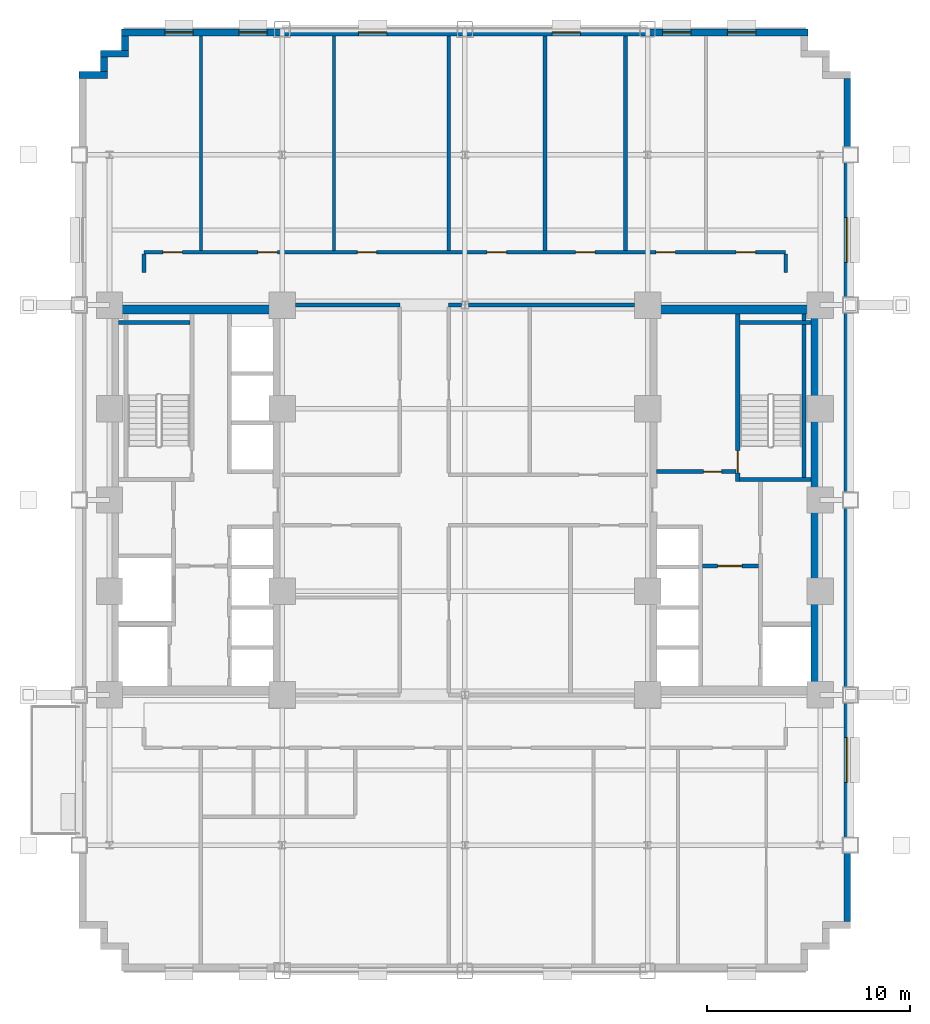
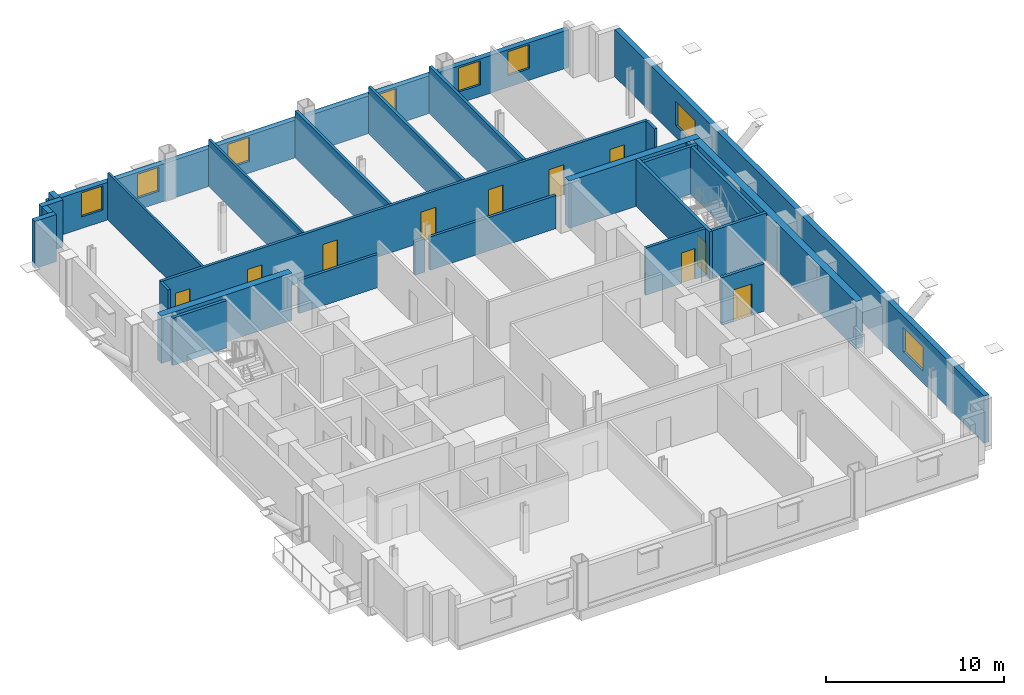
# One storey, part 7 of 12: 27 walls, 10 doors, 8 windows, 18 openings.
"""IFC4 building model written with IfcOpenShell, lengths in metres."""

from ifc_helpers import new_model, si_unit, direction, frame, frame_2d, origin, place, context, subcontext, project, spatial, rectangle, extrude, source, transform, mapped, material, layer, layer_set, type_object, type_shapes, element, fill, save


model = new_model("IFC4")

# Units and contexts
model_context = context("Model", 3, precision=1e-05, world=origin(), true_north=direction((0.0, 1.0)))
body_context = subcontext(model_context, "Body", "Model", "MODEL_VIEW")
ifc_project = project(units=[si_unit("LENGTHUNIT", "METRE"), si_unit("AREAUNIT", "SQUARE_METRE"), si_unit("VOLUMEUNIT", "CUBIC_METRE"), si_unit("PLANEANGLEUNIT", "RADIAN"), si_unit("MASSUNIT", "GRAM", prefix="KILO")], contexts=[model_context])

# Site, building, storey
site_placement = place(None, origin())
site = spatial("IfcSite", under=ifc_project, at=site_placement, CompositionType="ELEMENT")
building_placement = place(site_placement, origin())
building = spatial("IfcBuilding", under=site, at=building_placement, Name="Nuvemarco Arch Tower", CompositionType="ELEMENT")
storey_placement = place(building_placement, frame((0.0, 0.0, 53.14990234375)))
storey = spatial("IfcBuildingStorey", under=building, at=storey_placement, Name="L13", CompositionType="ELEMENT", Elevation=53.14990234375)

# Wall, openings, windows
ifc_material_1 = material(Name="Precast concrete C45/55", Category="concrete")
ifc_layer_1 = layer(ifc_material_1, 0.340087890625, Name="EW-LOW-340")
ifc_layer_set_1 = layer_set([ifc_layer_1], Name="Precast concrete C45/55")
wall_type_1 = type_object("IfcWallType", Name="EW-LOW-340", PredefinedType="STANDARD", material=ifc_layer_set_1)
wall_1_placement = place(storey_placement, frame((18.830078125, -20.763916015625, 0.0), z_axis=(0.0, 0.0, 1.0), x_axis=(0.0, 1.0, 0.0)))
wall_1 = element("IfcWall", 1, at=wall_1_placement, inside=storey, type_object=wall_type_1, Name="L13 exterior precast facade wall 6", PredefinedType="STANDARD", context=body_context, shape_type="SweptSolid", body=[
    extrude(rectangle(XDim=41.52783203125, YDim=0.340087890625, at=frame_2d((20.763916015625, 0.0))), origin(), (0.0, 0.0, 1.0), 3.239990234375),
])
opening_1_placement = place(wall_1_placement, frame((6.861572265625, 0.0, 0.800048828125)))
opening_1 = element("IfcOpeningElement", 2, at=opening_1_placement, cuts=wall_1, Name="Opening WN-3", PredefinedType="OPENING", context=body_context, shape_type="SweptSolid", body=[
    extrude(rectangle(XDim=2.199951171875, YDim=1.64990234375, at=frame_2d((1.10009765625, 0.824951171875))), frame((0.0, 0.179931640625, 0.0), z_axis=(0.0, -1.0, 0.0), x_axis=(1.0, 0.0, 0.0)), (0.0, 0.0, 1.0), 0.360107421875),
])
opening_2_placement = place(wall_1_placement, frame((32.466552734375, 0.0, 0.800048828125)))
opening_2 = element("IfcOpeningElement", 3, at=opening_2_placement, cuts=wall_1, Name="Opening WN-3", PredefinedType="OPENING", context=body_context, shape_type="SweptSolid", body=[
    extrude(rectangle(XDim=2.199951171875, YDim=1.64990234375, at=frame_2d((1.10009765625, 0.824951171875))), frame((0.0, 0.179931640625, 0.0), z_axis=(0.0, -1.0, 0.0), x_axis=(1.0, 0.0, 0.0)), (0.0, 0.0, 1.0), 0.360107421875),
])
ifc_material_2 = material(Name="Insulated solar-control glass", Category="glass")
window_type_1 = type_object("IfcWindowType", Name="WN-LOW-2200x1650", PartitioningType="DOUBLE_PANEL_VERTICAL", PredefinedType="WINDOW", material=ifc_material_2)
shared_shape_1 = source(origin(), body_context, "Body", "SweptSolid", [
    extrude(rectangle(XDim=2.199951171875, YDim=1.64990234375, at=frame_2d((1.10009765625, 0.824951171875))), frame((0.0, 0.030029296875, 0.0), z_axis=(0.0, -1.0, 0.0), x_axis=(1.0, 0.0, 0.0)), (0.0, 0.0, 1.0), 0.06005859375),
])
type_shapes(window_type_1, [shared_shape_1])
window_1_placement = place(opening_1_placement, origin())
window_1 = element("IfcWindow", 4, at=window_1_placement, inside=storey, type_object=window_type_1, Name="L13 punched facade window 2", OverallHeight=1.64990234375, OverallWidth=2.199951171875, PartitioningType="SINGLE_PANEL", PredefinedType="WINDOW", context=body_context, shape_type="MappedRepresentation", body=[
    mapped(shared_shape_1, transform((0.0, 0.0, 0.0), scale=1.0)),
])
fill(opening_1, window_1)
window_2_placement = place(opening_2_placement, origin())
window_2 = element("IfcWindow", 5, at=window_2_placement, inside=storey, type_object=window_type_1, Name="L13 punched facade window 7", OverallHeight=1.64990234375, OverallWidth=2.199951171875, PartitioningType="SINGLE_PANEL", PredefinedType="WINDOW", context=body_context, shape_type="MappedRepresentation", body=[
    mapped(shared_shape_1, transform((0.0, 0.0, 0.0), scale=1.0)),
])
fill(opening_2, window_2)

wall_2_placement = place(storey_placement, frame((-16.89990234375, 23.030029296875, 0.0), z_axis=(0.0, 0.0, 1.0), x_axis=(1.0, 0.0, 0.0)))
wall_2 = element("IfcWall", 6, at=wall_2_placement, inside=storey, type_object=wall_type_1, Name="L13 exterior precast facade wall 11", PredefinedType="STANDARD", context=body_context, shape_type="SweptSolid", body=[
    extrude(rectangle(XDim=33.7998046875, YDim=0.340087890625, at=frame_2d((16.89990234375, 0.0))), origin(), (0.0, 0.0, 1.0), 2.585205078125),
])
opening_3_placement = place(wall_2_placement, frame((2.121337890625, 0.0, 0.800048828125)))
opening_3 = element("IfcOpeningElement", 7, at=opening_3_placement, cuts=wall_2, Name="Opening WN-4", PredefinedType="OPENING", context=body_context, shape_type="SweptSolid", body=[
    extrude(rectangle(XDim=1.39990234375, YDim=1.64990234375, at=frame_2d((0.699951171875, 0.824951171875))), frame((0.0, 0.179931640625, 0.0), z_axis=(0.0, -1.0, 0.0), x_axis=(1.0, 0.0, 0.0)), (0.0, 0.0, 1.0), 0.360107421875),
])
opening_4_placement = place(wall_2_placement, frame((5.764404296875, 0.0, 0.800048828125)))
opening_4 = element("IfcOpeningElement", 8, at=opening_4_placement, cuts=wall_2, Name="Opening WN-4", PredefinedType="OPENING", context=body_context, shape_type="SweptSolid", body=[
    extrude(rectangle(XDim=1.39990234375, YDim=1.64990234375, at=frame_2d((0.699951171875, 0.824951171875))), frame((0.0, 0.179931640625, 0.0), z_axis=(0.0, -1.0, 0.0), x_axis=(1.0, 0.0, 0.0)), (0.0, 0.0, 1.0), 0.360107421875),
])
opening_5_placement = place(wall_2_placement, frame((11.656982421875, 0.0, 0.800048828125)))
opening_5 = element("IfcOpeningElement", 9, at=opening_5_placement, cuts=wall_2, Name="Opening WN-4", PredefinedType="OPENING", context=body_context, shape_type="SweptSolid", body=[
    extrude(rectangle(XDim=1.39990234375, YDim=1.64990234375, at=frame_2d((0.699951171875, 0.824951171875))), frame((0.0, 0.179931640625, 0.0), z_axis=(0.0, -1.0, 0.0), x_axis=(1.0, 0.0, 0.0)), (0.0, 0.0, 1.0), 0.360107421875),
])
opening_6_placement = place(wall_2_placement, frame((21.19287109375, 0.0, 0.800048828125)))
opening_6 = element("IfcOpeningElement", 10, at=opening_6_placement, cuts=wall_2, Name="Opening WN-4", PredefinedType="OPENING", context=body_context, shape_type="SweptSolid", body=[
    extrude(rectangle(XDim=1.39990234375, YDim=1.64990234375, at=frame_2d((0.699951171875, 0.824951171875))), frame((0.0, 0.179931640625, 0.0), z_axis=(0.0, -1.0, 0.0), x_axis=(1.0, 0.0, 0.0)), (0.0, 0.0, 1.0), 0.360107421875),
])
opening_7_placement = place(wall_2_placement, frame((26.6357421875, 0.0, 0.800048828125)))
opening_7 = element("IfcOpeningElement", 11, at=opening_7_placement, cuts=wall_2, Name="Opening WN-4", PredefinedType="OPENING", context=body_context, shape_type="SweptSolid", body=[
    extrude(rectangle(XDim=1.39990234375, YDim=1.64990234375, at=frame_2d((0.699951171875, 0.824951171875))), frame((0.0, 0.179931640625, 0.0), z_axis=(0.0, -1.0, 0.0), x_axis=(1.0, 0.0, 0.0)), (0.0, 0.0, 1.0), 0.360107421875),
])
opening_8_placement = place(wall_2_placement, frame((29.82861328125, 0.0, 0.800048828125)))
opening_8 = element("IfcOpeningElement", 12, at=opening_8_placement, cuts=wall_2, Name="Opening WN-4", PredefinedType="OPENING", context=body_context, shape_type="SweptSolid", body=[
    extrude(rectangle(XDim=1.39990234375, YDim=1.64990234375, at=frame_2d((0.699951171875, 0.824951171875))), frame((0.0, 0.179931640625, 0.0), z_axis=(0.0, -1.0, 0.0), x_axis=(1.0, 0.0, 0.0)), (0.0, 0.0, 1.0), 0.360107421875),
])
window_type_2 = type_object("IfcWindowType", Name="WN-LOW-1400x1650", PartitioningType="SINGLE_PANEL", PredefinedType="WINDOW", material=ifc_material_2)
shared_shape_2 = source(origin(), body_context, "Body", "SweptSolid", [
    extrude(rectangle(XDim=1.39990234375, YDim=1.64990234375, at=frame_2d((0.699951171875, 0.824951171875))), frame((0.0, 0.030029296875, 0.0), z_axis=(0.0, -1.0, 0.0), x_axis=(1.0, 0.0, 0.0)), (0.0, 0.0, 1.0), 0.06005859375),
])
type_shapes(window_type_2, [shared_shape_2])
window_3_placement = place(opening_3_placement, origin())
window_3 = element("IfcWindow", 13, at=window_3_placement, inside=storey, type_object=window_type_2, Name="L13 punched facade window 1", OverallHeight=1.64990234375, OverallWidth=1.39990234375, PartitioningType="SINGLE_PANEL", PredefinedType="WINDOW", context=body_context, shape_type="MappedRepresentation", body=[
    mapped(shared_shape_2, transform((0.0, 0.0, 0.0), scale=1.0)),
])
fill(opening_3, window_3)
window_4_placement = place(opening_4_placement, origin())
window_4 = element("IfcWindow", 14, at=window_4_placement, inside=storey, type_object=window_type_2, Name="L13 punched facade window 2", OverallHeight=1.64990234375, OverallWidth=1.39990234375, PartitioningType="SINGLE_PANEL", PredefinedType="WINDOW", context=body_context, shape_type="MappedRepresentation", body=[
    mapped(shared_shape_2, transform((0.0, 0.0, 0.0), scale=1.0)),
])
fill(opening_4, window_4)
window_5_placement = place(opening_5_placement, origin())
window_5 = element("IfcWindow", 15, at=window_5_placement, inside=storey, type_object=window_type_2, Name="L13 punched facade window 3", OverallHeight=1.64990234375, OverallWidth=1.39990234375, PartitioningType="SINGLE_PANEL", PredefinedType="WINDOW", context=body_context, shape_type="MappedRepresentation", body=[
    mapped(shared_shape_2, transform((0.0, 0.0, 0.0), scale=1.0)),
])
fill(opening_5, window_5)
window_6_placement = place(opening_6_placement, origin())
window_6 = element("IfcWindow", 16, at=window_6_placement, inside=storey, type_object=window_type_2, Name="L13 punched facade window 5", OverallHeight=1.64990234375, OverallWidth=1.39990234375, PartitioningType="SINGLE_PANEL", PredefinedType="WINDOW", context=body_context, shape_type="MappedRepresentation", body=[
    mapped(shared_shape_2, transform((0.0, 0.0, 0.0), scale=1.0)),
])
fill(opening_6, window_6)
window_7_placement = place(opening_7_placement, origin())
window_7 = element("IfcWindow", 17, at=window_7_placement, inside=storey, type_object=window_type_2, Name="L13 punched facade window 6", OverallHeight=1.64990234375, OverallWidth=1.39990234375, PartitioningType="SINGLE_PANEL", PredefinedType="WINDOW", context=body_context, shape_type="MappedRepresentation", body=[
    mapped(shared_shape_2, transform((0.0, 0.0, 0.0), scale=1.0)),
])
fill(opening_7, window_7)
window_8_placement = place(opening_8_placement, origin())
window_8 = element("IfcWindow", 18, at=window_8_placement, inside=storey, type_object=window_type_2, Name="L13 punched facade window 7", OverallHeight=1.64990234375, OverallWidth=1.39990234375, PartitioningType="SINGLE_PANEL", PredefinedType="WINDOW", context=body_context, shape_type="MappedRepresentation", body=[
    mapped(shared_shape_2, transform((0.0, 0.0, 0.0), scale=1.0)),
])
fill(opening_8, window_8)

# Walls
wall_3_placement = place(storey_placement, frame((-16.72998046875, 22.14599609375, 0.0), z_axis=(0.0, 0.0, 1.0), x_axis=(0.0, 1.0, 0.0)))
element("IfcWall", 19, at=wall_3_placement, inside=storey, type_object=wall_type_1, Name="L13 exterior precast facade wall 12", PredefinedType="STANDARD", context=body_context, shape_type="SweptSolid", body=[
    extrude(rectangle(XDim=0.718017578125, YDim=0.340087890625, at=frame_2d((0.35888671875, 0.0))), origin(), (0.0, 0.0, 1.0), 3.239990234375),
])
wall_4_placement = place(storey_placement, frame((-17.949951171875, 21.97998046875, 0.0), z_axis=(0.0, 0.0, 1.0), x_axis=(1.0, 0.0, 0.0)))
element("IfcWall", 20, at=wall_4_placement, inside=storey, type_object=wall_type_1, Name="L13 exterior precast facade wall 13", PredefinedType="STANDARD", context=body_context, shape_type="SweptSolid", body=[
    extrude(rectangle(XDim=1.389892578125, YDim=0.340087890625, at=frame_2d((0.69482421875, 0.0))), origin(), (0.0, 0.0, 1.0), 3.239990234375),
])
wall_5_placement = place(storey_placement, frame((-17.780029296875, 21.095947265625, 0.0), z_axis=(0.0, 0.0, 1.0), x_axis=(0.0, 1.0, 0.0)))
element("IfcWall", 21, at=wall_5_placement, inside=storey, type_object=wall_type_1, Name="L13 exterior precast facade wall 14", PredefinedType="STANDARD", context=body_context, shape_type="SweptSolid", body=[
    extrude(rectangle(XDim=0.718017578125, YDim=0.340087890625, at=frame_2d((0.35888671875, 0.0))), origin(), (0.0, 0.0, 1.0), 3.239990234375),
])
wall_6_placement = place(storey_placement, frame((-19.0, 20.929931640625, 0.0), z_axis=(0.0, 0.0, 1.0), x_axis=(1.0, 0.0, 0.0)))
element("IfcWall", 22, at=wall_6_placement, inside=storey, type_object=wall_type_1, Name="L13 exterior precast facade wall 15", PredefinedType="STANDARD", context=body_context, shape_type="SweptSolid", body=[
    extrude(rectangle(XDim=1.389892578125, YDim=0.340087890625, at=frame_2d((0.69482421875, 0.0))), origin(), (0.0, 0.0, 1.0), 3.239990234375),
])
ifc_material_3 = material(Name="Concrete C60/75", Category="concrete")
ifc_layer_2 = layer(ifc_material_3, 0.449951171875, Name="WL-CORE-450")
ifc_layer_set_2 = layer_set([ifc_layer_2], Name="Concrete C60/75")
wall_type_2 = type_object("IfcWallType", Name="WL-CORE-450", PredefinedType="SHEAR", material=ifc_layer_set_2)
for number, where, z_axis, x_axis, name in (
    (23, (-17.5, 9.375, 0.0), (0.0, 0.0, 1.0), (1.0, 0.0, 0.0), "L13 W-core shear wall N"),
    (24, (9.0, 9.375, 0.0), (0.0, 0.0, 1.0), (1.0, 0.0, 0.0), "L13 E-core shear wall N"),
):
    element("IfcWall", number, at=place(storey_placement, frame(where, z_axis=z_axis, x_axis=x_axis)), inside=storey, type_object=wall_type_2, Name=name, PredefinedType="SHEAR", context=body_context, shape_type="SweptSolid", body=[
        extrude(rectangle(XDim=8.5, YDim=0.449951171875, at=frame_2d((4.25, 0.0))), origin(), (0.0, 0.0, 1.0), 3.25),
    ])
wall_7_placement = place(storey_placement, frame((17.27490234375, -9.155029296875, 0.0), z_axis=(0.0, 0.0, 1.0), x_axis=(0.0, 1.0, 0.0)))
element("IfcWall", 25, at=wall_7_placement, inside=storey, type_object=wall_type_2, Name="L13 E-core shear wall E", PredefinedType="SHEAR", context=body_context, shape_type="SweptSolid", body=[
    extrude(rectangle(XDim=18.31005859375, YDim=0.449951171875, at=frame_2d((9.155029296875, 0.0))), origin(), (0.0, 0.0, 1.0), 3.25),
])

# Wall, opening, door
ifc_material_4 = material(Name="Fire-rated gypsum drywall partition")
ifc_layer_3 = layer(ifc_material_4, 0.179931640625, Name="WL-CORR-180")
ifc_layer_set_3 = layer_set([ifc_layer_3], Name="Fire-rated gypsum drywall partition")
wall_type_3 = type_object("IfcWallType", Name="WL-CORR-180", PredefinedType="PARTITIONING", material=ifc_layer_set_3)
wall_8_placement = place(storey_placement, frame((9.445068359375, 1.39990234375, 0.0), z_axis=(0.0, 0.0, 1.0), x_axis=(1.0, 0.0, 0.0)))
wall_8 = element("IfcWall", 26, at=wall_8_placement, inside=storey, type_object=wall_type_3, Name="L13 interior wall IW-L13-EK-S", PredefinedType="PARTITIONING", context=body_context, shape_type="SweptSolid", body=[
    extrude(rectangle(XDim=3.89990234375, YDim=0.179931640625, at=frame_2d((1.949951171875, 0.0))), origin(), (0.0, 0.0, 1.0), 3.239990234375),
])
opening_9_placement = place(wall_8_placement, frame((2.31494140625, 0.0, 0.0)))
opening_9 = element("IfcOpeningElement", 27, at=opening_9_placement, cuts=wall_8, Name="Opening FD-4", PredefinedType="OPENING", context=body_context, shape_type="SweptSolid", body=[
    extrude(rectangle(XDim=0.8798828125, YDim=2.10009765625, at=frame_2d((0.43994140625, 1.050048828125))), frame((0.0, 0.099853515625, 0.0), z_axis=(0.0, -1.0, 0.0), x_axis=(1.0, 0.0, 0.0)), (0.0, 0.0, 1.0), 0.199951171875),
])
ifc_material_5 = material(Name="Anodised steel fire door", Category="steel")
door_type_1 = type_object("IfcDoorType", Name="DR-RISER-FD", OperationType="NOTDEFINED", PredefinedType="DOOR", material=ifc_material_5)
shared_shape_3 = source(origin(), body_context, "Body", "SweptSolid", [
    extrude(rectangle(XDim=0.8798828125, YDim=2.10009765625, at=frame_2d((0.43994140625, 1.050048828125))), frame((0.0, 0.02490234375, 0.0), z_axis=(0.0, -1.0, 0.0), x_axis=(1.0, 0.0, 0.0)), (0.0, 0.0, 1.0), 0.050048828125),
])
type_shapes(door_type_1, [shared_shape_3])
door_1_placement = place(opening_9_placement, origin())
door_1 = element("IfcDoor", 28, at=door_1_placement, inside=storey, type_object=door_type_1, Name="L13 door FD-L13-EK1A", OperationType="SINGLE_SWING_LEFT", OverallHeight=2.10009765625, OverallWidth=0.8798828125, PredefinedType="DOOR", context=body_context, shape_type="MappedRepresentation", body=[
    mapped(shared_shape_3, transform((0.0, 0.0, 0.0), scale=1.0)),
])
fill(opening_9, door_1)

# Walls
wall_9_placement = place(storey_placement, frame((-8.35400390625, 9.60009765625, 0.0), z_axis=(0.0, 0.0, 1.0), x_axis=(1.0, 0.0, 0.0)))
element("IfcWall", 29, at=wall_9_placement, inside=storey, type_object=wall_type_3, Name="L13 interior wall IW-L13-011", PredefinedType="PARTITIONING", context=body_context, shape_type="SweptSolid", body=[
    extrude(rectangle(XDim=5.154052734375, YDim=0.179931640625, at=frame_2d((2.5771484375, 0.0))), origin(), (0.0, 0.0, 1.0), 2.28515625),
])
wall_10_placement = place(storey_placement, frame((-0.800048828125, 9.60009765625, 0.0), z_axis=(0.0, 0.0, 1.0), x_axis=(1.0, 0.0, 0.0)))
element("IfcWall", 30, at=wall_10_placement, inside=storey, type_object=wall_type_3, Name="L13 interior wall IW-L13-012", PredefinedType="PARTITIONING", context=body_context, shape_type="SweptSolid", body=[
    extrude(rectangle(XDim=0.6240234375, YDim=0.179931640625, at=frame_2d((0.31201171875, 0.0))), origin(), (0.0, 0.0, 1.0), 2.28515625),
])
wall_11_placement = place(storey_placement, frame((0.176025390625, 9.60009765625, 0.0), z_axis=(0.0, 0.0, 1.0), x_axis=(1.0, 0.0, 0.0)))
element("IfcWall", 31, at=wall_11_placement, inside=storey, type_object=wall_type_3, Name="L13 interior wall IW-L13-013", PredefinedType="PARTITIONING", context=body_context, shape_type="SweptSolid", body=[
    extrude(rectangle(XDim=8.177978515625, YDim=0.179931640625, at=frame_2d((4.0888671875, 0.0))), origin(), (0.0, 0.0, 1.0), 2.28515625),
])

# Wall, openings, doors
wall_12_placement = place(storey_placement, frame((-15.800048828125, 12.199951171875, 0.0), z_axis=(0.0, 0.0, 1.0), x_axis=(1.0, 0.0, 0.0)))
wall_12 = element("IfcWall", 32, at=wall_12_placement, inside=storey, type_object=wall_type_3, Name="L13 interior wall IW-L13-014", PredefinedType="PARTITIONING", context=body_context, shape_type="SweptSolid", body=[
    extrude(rectangle(XDim=31.60009765625, YDim=0.179931640625, at=frame_2d((15.800048828125, 0.0))), origin(), (0.0, 0.0, 1.0), 3.239990234375),
])
opening_10_placement = place(wall_12_placement, frame((5.60498046875, 0.0, 0.0)))
opening_10 = element("IfcOpeningElement", 33, at=opening_10_placement, cuts=wall_12, Name="Opening FD-5", PredefinedType="OPENING", context=body_context, shape_type="SweptSolid", body=[
    extrude(rectangle(XDim=0.9599609375, YDim=2.10009765625, at=frame_2d((0.47998046875, 1.050048828125))), frame((0.0, 0.099853515625, 0.0), z_axis=(0.0, -1.0, 0.0), x_axis=(1.0, 0.0, 0.0)), (0.0, 0.0, 1.0), 0.199951171875),
])
opening_11_placement = place(wall_12_placement, frame((16.89501953125, 0.0, 0.0)))
opening_11 = element("IfcOpeningElement", 34, at=opening_11_placement, cuts=wall_12, Name="Opening FD-5", PredefinedType="OPENING", context=body_context, shape_type="SweptSolid", body=[
    extrude(rectangle(XDim=0.9599609375, YDim=2.10009765625, at=frame_2d((0.47998046875, 1.050048828125))), frame((0.0, 0.099853515625, 0.0), z_axis=(0.0, -1.0, 0.0), x_axis=(1.0, 0.0, 0.0)), (0.0, 0.0, 1.0), 0.199951171875),
])
opening_12_placement = place(wall_12_placement, frame((21.25, 0.0, 0.0)))
opening_12 = element("IfcOpeningElement", 35, at=opening_12_placement, cuts=wall_12, Name="Opening FD-5", PredefinedType="OPENING", context=body_context, shape_type="SweptSolid", body=[
    extrude(rectangle(XDim=0.9599609375, YDim=2.10009765625, at=frame_2d((0.47998046875, 1.050048828125))), frame((0.0, 0.099853515625, 0.0), z_axis=(0.0, -1.0, 0.0), x_axis=(1.0, 0.0, 0.0)), (0.0, 0.0, 1.0), 0.199951171875),
])
opening_13_placement = place(wall_12_placement, frame((25.2099609375, 0.0, 0.0)))
opening_13 = element("IfcOpeningElement", 36, at=opening_13_placement, cuts=wall_12, Name="Opening FD-5", PredefinedType="OPENING", context=body_context, shape_type="SweptSolid", body=[
    extrude(rectangle(XDim=0.9599609375, YDim=2.10009765625, at=frame_2d((0.47998046875, 1.050048828125))), frame((0.0, 0.099853515625, 0.0), z_axis=(0.0, -1.0, 0.0), x_axis=(1.0, 0.0, 0.0)), (0.0, 0.0, 1.0), 0.199951171875),
])
opening_14_placement = place(wall_12_placement, frame((29.155029296875, 0.0, 0.0)))
opening_14 = element("IfcOpeningElement", 37, at=opening_14_placement, cuts=wall_12, Name="Opening FD-5", PredefinedType="OPENING", context=body_context, shape_type="SweptSolid", body=[
    extrude(rectangle(XDim=0.9599609375, YDim=2.10009765625, at=frame_2d((0.47998046875, 1.050048828125))), frame((0.0, 0.099853515625, 0.0), z_axis=(0.0, -1.0, 0.0), x_axis=(1.0, 0.0, 0.0)), (0.0, 0.0, 1.0), 0.199951171875),
])
opening_15_placement = place(wall_12_placement, frame((10.5, 0.0, 0.0)))
opening_15 = element("IfcOpeningElement", 38, at=opening_15_placement, cuts=wall_12, Name="Opening FD-5", PredefinedType="OPENING", context=body_context, shape_type="SweptSolid", body=[
    extrude(rectangle(XDim=0.9599609375, YDim=2.10009765625, at=frame_2d((0.47998046875, 1.050048828125))), frame((0.0, 0.099853515625, 0.0), z_axis=(0.0, -1.0, 0.0), x_axis=(1.0, 0.0, 0.0)), (0.0, 0.0, 1.0), 0.199951171875),
])
opening_16_placement = place(wall_12_placement, frame((0.925048828125, 0.0, 0.0)))
opening_16 = element("IfcOpeningElement", 39, at=opening_16_placement, cuts=wall_12, Name="Opening FD-5", PredefinedType="OPENING", context=body_context, shape_type="SweptSolid", body=[
    extrude(rectangle(XDim=0.9599609375, YDim=2.10009765625, at=frame_2d((0.47998046875, 1.050048828125))), frame((0.0, 0.099853515625, 0.0), z_axis=(0.0, -1.0, 0.0), x_axis=(1.0, 0.0, 0.0)), (0.0, 0.0, 1.0), 0.199951171875),
])
ifc_material_6 = material(Name="Timber fire door", Category="wood")
door_type_2 = type_object("IfcDoorType", Name="DR-CORR-FD", OperationType="NOTDEFINED", PredefinedType="DOOR", material=ifc_material_6)
shared_shape_4 = source(origin(), body_context, "Body", "SweptSolid", [
    extrude(rectangle(XDim=0.9599609375, YDim=2.10009765625, at=frame_2d((0.47998046875, 1.050048828125))), frame((0.0, 0.02490234375, 0.0), z_axis=(0.0, -1.0, 0.0), x_axis=(1.0, 0.0, 0.0)), (0.0, 0.0, 1.0), 0.050048828125),
])
type_shapes(door_type_2, [shared_shape_4])
door_2_placement = place(opening_10_placement, origin())
door_2 = element("IfcDoor", 40, at=door_2_placement, inside=storey, type_object=door_type_2, Name="L13 door DR-L13-N_2", OperationType="SINGLE_SWING_RIGHT", OverallHeight=2.10009765625, OverallWidth=0.9599609375, PredefinedType="DOOR", context=body_context, shape_type="MappedRepresentation", body=[
    mapped(shared_shape_4, transform((0.0, 0.0, 0.0), scale=1.0)),
])
fill(opening_10, door_2)
door_3_placement = place(opening_11_placement, origin())
door_3 = element("IfcDoor", 41, at=door_3_placement, inside=storey, type_object=door_type_2, Name="L13 door DR-L13-N_4", OperationType="SINGLE_SWING_RIGHT", OverallHeight=2.10009765625, OverallWidth=0.9599609375, PredefinedType="DOOR", context=body_context, shape_type="MappedRepresentation", body=[
    mapped(shared_shape_4, transform((0.0, 0.0, 0.0), scale=1.0)),
])
fill(opening_11, door_3)
door_4_placement = place(opening_12_placement, origin())
door_4 = element("IfcDoor", 42, at=door_4_placement, inside=storey, type_object=door_type_2, Name="L13 door DR-L13-N_5", OperationType="SINGLE_SWING_LEFT", OverallHeight=2.10009765625, OverallWidth=0.9599609375, PredefinedType="DOOR", context=body_context, shape_type="MappedRepresentation", body=[
    mapped(shared_shape_4, transform((0.0, 0.0, 0.0), scale=1.0)),
])
fill(opening_12, door_4)
door_5_placement = place(opening_13_placement, origin())
door_5 = element("IfcDoor", 43, at=door_5_placement, inside=storey, type_object=door_type_2, Name="L13 door DR-L13-N_6", OperationType="SINGLE_SWING_RIGHT", OverallHeight=2.10009765625, OverallWidth=0.9599609375, PredefinedType="DOOR", context=body_context, shape_type="MappedRepresentation", body=[
    mapped(shared_shape_4, transform((0.0, 0.0, 0.0), scale=1.0)),
])
fill(opening_13, door_5)
door_6_placement = place(opening_14_placement, origin())
door_6 = element("IfcDoor", 44, at=door_6_placement, inside=storey, type_object=door_type_2, Name="L13 door DR-L13-N_7", OperationType="SINGLE_SWING_LEFT", OverallHeight=2.10009765625, OverallWidth=0.9599609375, PredefinedType="DOOR", context=body_context, shape_type="MappedRepresentation", body=[
    mapped(shared_shape_4, transform((0.0, 0.0, 0.0), scale=1.0)),
])
fill(opening_14, door_6)
door_7_placement = place(opening_15_placement, origin())
door_7 = element("IfcDoor", 45, at=door_7_placement, inside=storey, type_object=door_type_2, Name="L13 door DR-L13-N_3", OperationType="SINGLE_SWING_LEFT", OverallHeight=2.10009765625, OverallWidth=0.9599609375, PredefinedType="DOOR", context=body_context, shape_type="MappedRepresentation", body=[
    mapped(shared_shape_4, transform((0.0, 0.0, 0.0), scale=1.0)),
])
fill(opening_15, door_7)
door_8_placement = place(opening_16_placement, origin())
door_8 = element("IfcDoor", 46, at=door_8_placement, inside=storey, type_object=door_type_2, Name="L13 door DR-L13-N_1", OperationType="SINGLE_SWING_RIGHT", OverallHeight=2.10009765625, OverallWidth=0.9599609375, PredefinedType="DOOR", context=body_context, shape_type="MappedRepresentation", body=[
    mapped(shared_shape_4, transform((0.0, 0.0, 0.0), scale=1.0)),
])
fill(opening_16, door_8)

# Walls
wall_13_placement = place(storey_placement, frame((-15.800048828125, 11.199951171875, 0.0), z_axis=(0.0, 0.0, 1.0), x_axis=(0.0, 1.0, 0.0)))
element("IfcWall", 47, at=wall_13_placement, inside=storey, type_object=wall_type_3, Name="L13 interior wall IW-L13-016", PredefinedType="PARTITIONING", context=body_context, shape_type="SweptSolid", body=[
    extrude(rectangle(XDim=0.9140625, YDim=0.179931640625, at=frame_2d((0.45703125, 0.0))), origin(), (0.0, 0.0, 1.0), 3.239990234375),
])
for number, where, z_axis, x_axis, name in (
    (48, (-0.800048828125, 12.285888671875, 0.0), (0.0, 0.0, 1.0), (0.0, 1.0, 0.0), "L13 interior wall IW-L13-028"),
    (49, (3.949951171875, 12.285888671875, 0.0), (0.0, 0.0, 1.0), (0.0, 1.0, 0.0), "L13 interior wall IW-L13-030"),
    (50, (7.909912109375, 12.285888671875, 0.0), (0.0, 0.0, 1.0), (0.0, 1.0, 0.0), "L13 interior wall IW-L13-033"),
):
    element("IfcWall", number, at=place(storey_placement, frame(where, z_axis=z_axis, x_axis=x_axis)), inside=storey, type_object=wall_type_3, Name=name, PredefinedType="PARTITIONING", context=body_context, shape_type="SweptSolid", body=[
        extrude(rectangle(XDim=10.57421875, YDim=0.179931640625, at=frame_2d((5.287109375, 0.0))), origin(), (0.0, 0.0, 1.0), 3.239990234375),
    ])
wall_14_placement = place(storey_placement, frame((15.800048828125, 11.199951171875, 0.0), z_axis=(0.0, 0.0, 1.0), x_axis=(0.0, 1.0, 0.0)))
element("IfcWall", 51, at=wall_14_placement, inside=storey, type_object=wall_type_3, Name="L13 interior wall IW-L13-038", PredefinedType="PARTITIONING", context=body_context, shape_type="SweptSolid", body=[
    extrude(rectangle(XDim=0.9140625, YDim=0.179931640625, at=frame_2d((0.45703125, 0.0))), origin(), (0.0, 0.0, 1.0), 3.239990234375),
])
ifc_material_7 = material(Name="Gypsum plasterboard partition")
ifc_layer_4 = layer(ifc_material_7, 0.139892578125, Name="WL-ROOM-140")
ifc_layer_set_4 = layer_set([ifc_layer_4], Name="Gypsum plasterboard partition")
wall_type_4 = type_object("IfcWallType", Name="WL-ROOM-140", PredefinedType="PARTITIONING", material=ifc_layer_set_4)
for number, where, z_axis, x_axis, name in (
    (52, (-13.0, 12.285888671875, 0.0), (0.0, 0.0, 1.0), (0.0, 1.0, 0.0), "L13 interior wall IW-L13-018"),
    (53, (-6.43994140625, 12.285888671875, 0.0), (0.0, 0.0, 1.0), (0.0, 1.0, 0.0), "L13 interior wall IW-L13-021"),
):
    element("IfcWall", number, at=place(storey_placement, frame(where, z_axis=z_axis, x_axis=x_axis)), inside=storey, type_object=wall_type_4, Name=name, PredefinedType="PARTITIONING", context=body_context, shape_type="SweptSolid", body=[
        extrude(rectangle(XDim=10.57421875, YDim=0.139892578125, at=frame_2d((5.287109375, 0.0))), origin(), (0.0, 0.0, 1.0), 3.239990234375),
    ])
ifc_material_8 = material(Name="Concrete C50/60", Category="concrete")
ifc_layer_5 = layer(ifc_material_8, 0.199951171875, Name="WL-SHAFT-220")
ifc_layer_set_5 = layer_set([ifc_layer_5], Name="Concrete C50/60")
wall_type_5 = type_object("IfcWallType", Name="WL-SHAFT-220", PredefinedType="SHEAR", material=ifc_layer_set_5)
wall_15_placement = place(storey_placement, frame((-17.054931640625, 8.75, 0.0), z_axis=(0.0, 0.0, 1.0), x_axis=(1.0, 0.0, 0.0)))
element("IfcWall", 54, at=wall_15_placement, inside=storey, type_object=wall_type_5, Name="L13 structural shaft wall SW-L13-W-ST1N", PredefinedType="SHEAR", context=body_context, shape_type="SweptSolid", body=[
    extrude(rectangle(XDim=3.52001953125, YDim=0.199951171875, at=frame_2d((1.760009765625, 0.0))), origin(), (0.0, 0.0, 1.0), 3.25),
])

# Wall, opening, door
wall_16_placement = place(storey_placement, frame((13.43994140625, 0.89990234375, 0.0), z_axis=(0.0, 0.0, 1.0), x_axis=(0.0, 1.0, 0.0)))
wall_16 = element("IfcWall", 55, at=wall_16_placement, inside=storey, type_object=wall_type_5, Name="L13 structural shaft wall SW-L13-E-ST2W", PredefinedType="SHEAR", context=body_context, shape_type="SweptSolid", body=[
    extrude(rectangle(XDim=8.255126953125, YDim=0.199951171875, at=frame_2d((4.12744140625, 0.0))), origin(), (0.0, 0.0, 1.0), 3.25),
])
opening_17_placement = place(wall_16_placement, frame((0.429931640625, 0.0, 0.0)))
opening_17 = element("IfcOpeningElement", 56, at=opening_17_placement, cuts=wall_16, Name="Opening FD-1", PredefinedType="OPENING", context=body_context, shape_type="SweptSolid", body=[
    extrude(rectangle(XDim=1.10009765625, YDim=2.14990234375, at=frame_2d((0.550048828125, 1.074951171875))), frame((0.0, 0.10986328125, 0.0), z_axis=(0.0, -1.0, 0.0), x_axis=(1.0, 0.0, 0.0)), (0.0, 0.0, 1.0), 0.219970703125),
])
door_type_3 = type_object("IfcDoorType", Name="DR-STAIR-FD", OperationType="NOTDEFINED", PredefinedType="DOOR", material=ifc_material_5)
shared_shape_5 = source(origin(), body_context, "Body", "SweptSolid", [
    extrude(rectangle(XDim=1.10009765625, YDim=2.14990234375, at=frame_2d((0.550048828125, 1.074951171875))), frame((0.0, 0.02490234375, 0.0), z_axis=(0.0, -1.0, 0.0), x_axis=(1.0, 0.0, 0.0)), (0.0, 0.0, 1.0), 0.050048828125),
])
type_shapes(door_type_3, [shared_shape_5])
door_9_placement = place(opening_17_placement, origin())
door_9 = element("IfcDoor", 57, at=door_9_placement, inside=storey, type_object=door_type_3, Name="L13 door FD-L13-ST2", OperationType="SINGLE_SWING_RIGHT", OverallHeight=2.14990234375, OverallWidth=1.10009765625, PredefinedType="DOOR", context=body_context, shape_type="MappedRepresentation", body=[
    mapped(shared_shape_5, transform((0.0, 0.0, 0.0), scale=1.0)),
])
fill(opening_17, door_9)

# Walls
for number, where, z_axis, x_axis, name in (
    (58, (13.534912109375, 1.0, 0.0), (0.0, 0.0, 1.0), (1.0, 0.0, 0.0), "L13 structural shaft wall SW-L13-E-ST2S"),
    (59, (13.534912109375, 8.75, 0.0), (0.0, 0.0, 1.0), (1.0, 0.0, 0.0), "L13 structural shaft wall SW-L13-E-ST2N"),
):
    element("IfcWall", number, at=place(storey_placement, frame(where, z_axis=z_axis, x_axis=x_axis)), inside=storey, type_object=wall_type_5, Name=name, PredefinedType="SHEAR", context=body_context, shape_type="SweptSolid", body=[
        extrude(rectangle(XDim=3.52001953125, YDim=0.199951171875, at=frame_2d((1.760009765625, 0.0))), origin(), (0.0, 0.0, 1.0), 3.25),
    ])
wall_17_placement = place(storey_placement, frame((16.699951171875, 1.094970703125, 0.0), z_axis=(0.0, 0.0, 1.0), x_axis=(0.0, 1.0, 0.0)))
element("IfcWall", 60, at=wall_17_placement, inside=storey, type_object=wall_type_5, Name="L13 structural shaft wall SW-L13-E-ST2E", PredefinedType="SHEAR", context=body_context, shape_type="SweptSolid", body=[
    extrude(rectangle(XDim=8.06005859375, YDim=0.199951171875, at=frame_2d((4.030029296875, 0.0))), origin(), (0.0, 0.0, 1.0), 3.25),
])

# Wall, opening, door
wall_18_placement = place(storey_placement, frame((11.695068359375, -3.25, 0.0), z_axis=(0.0, 0.0, 1.0), x_axis=(1.0, 0.0, 0.0)))
wall_18 = element("IfcWall", 61, at=wall_18_placement, inside=storey, type_object=wall_type_5, Name="L13 structural shaft wall SW-L13-E-FFN", PredefinedType="SHEAR", context=body_context, shape_type="SweptSolid", body=[
    extrude(rectangle(XDim=2.760009765625, YDim=0.199951171875, at=frame_2d((1.3798828125, 0.0))), origin(), (0.0, 0.0, 1.0), 3.25),
])
opening_18_placement = place(wall_18_placement, frame((0.7548828125, 0.0, 0.0)))
opening_18 = element("IfcOpeningElement", 62, at=opening_18_placement, cuts=wall_18, Name="Opening FD-2", PredefinedType="OPENING", context=body_context, shape_type="SweptSolid", body=[
    extrude(rectangle(XDim=1.199951171875, YDim=2.14990234375, at=frame_2d((0.60009765625, 1.074951171875))), frame((0.0, 0.10986328125, 0.0), z_axis=(0.0, -1.0, 0.0), x_axis=(1.0, 0.0, 0.0)), (0.0, 0.0, 1.0), 0.219970703125),
])
door_type_4 = type_object("IfcDoorType", Name="DR-FFLOB-FD", OperationType="NOTDEFINED", PredefinedType="DOOR", material=ifc_material_5)
shared_shape_6 = source(origin(), body_context, "Body", "SweptSolid", [
    extrude(rectangle(XDim=1.199951171875, YDim=2.14990234375, at=frame_2d((0.60009765625, 1.074951171875))), frame((0.0, 0.02490234375, 0.0), z_axis=(0.0, -1.0, 0.0), x_axis=(1.0, 0.0, 0.0)), (0.0, 0.0, 1.0), 0.050048828125),
])
type_shapes(door_type_4, [shared_shape_6])
door_10_placement = place(opening_18_placement, origin())
door_10 = element("IfcDoor", 63, at=door_10_placement, inside=storey, type_object=door_type_4, Name="L13 door FD-L13-EFF2", OperationType="SINGLE_SWING_RIGHT", OverallHeight=2.14990234375, OverallWidth=1.199951171875, PredefinedType="DOOR", context=body_context, shape_type="MappedRepresentation", body=[
    mapped(shared_shape_6, transform((0.0, 0.0, 0.0), scale=1.0)),
])
fill(opening_18, door_10)

save(model, "model.ifc")
